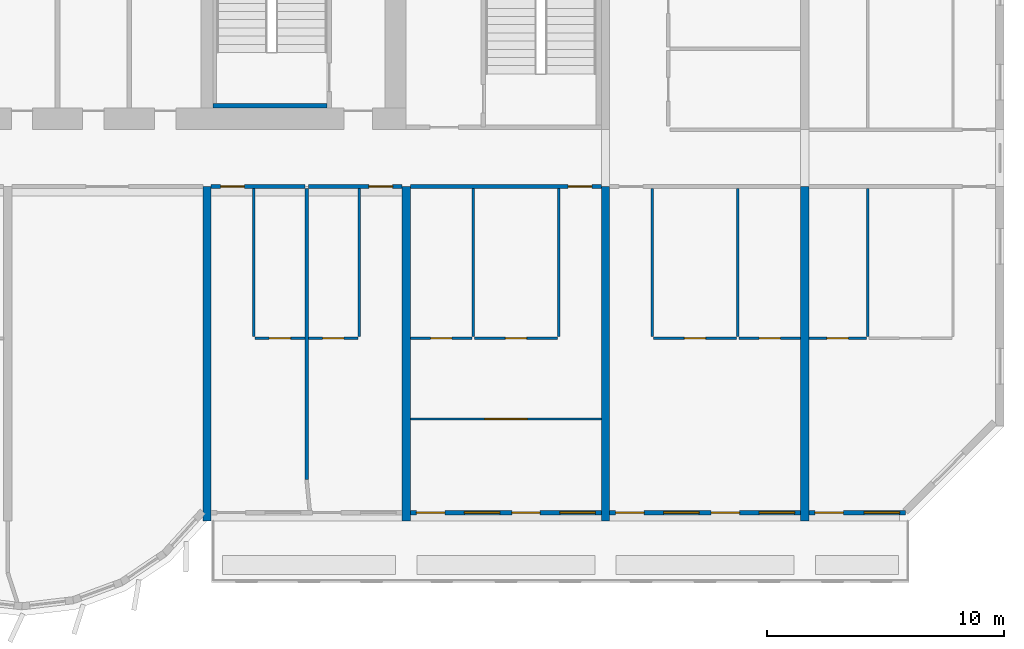
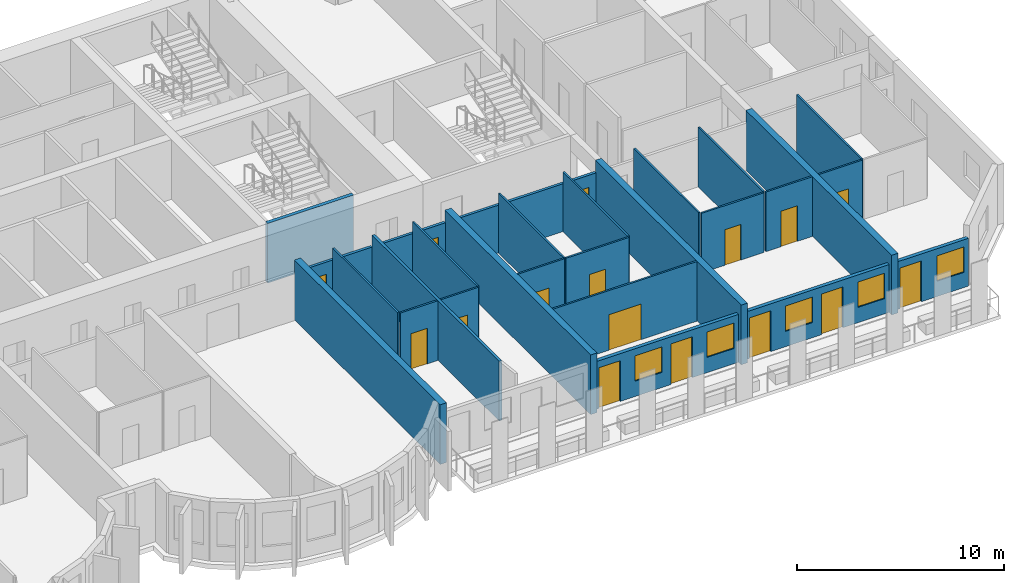
# One storey, part 8 of 14: 27 walls, 16 doors, 5 windows, 21 openings.
"""IFC4 building model written with IfcOpenShell, lengths in metres."""

from ifc_helpers import new_model, si_unit, direction, frame, frame_2d, origin, place, context, subcontext, project, spatial, rectangle, extrude, source, transform, mapped, material, layer, layer_set, type_object, element, fill, save


model = new_model("IFC4")

# Units and contexts
model_context = context("Model", 3, precision=1e-05, world=origin(), true_north=direction((0.0, 1.0)))
body_context = subcontext(model_context, "Body", "Model", "MODEL_VIEW")
ifc_project = project(units=[si_unit("LENGTHUNIT", "METRE"), si_unit("AREAUNIT", "SQUARE_METRE"), si_unit("VOLUMEUNIT", "CUBIC_METRE"), si_unit("PLANEANGLEUNIT", "RADIAN"), si_unit("MASSUNIT", "GRAM", prefix="KILO")], contexts=[model_context])

# Site, building, storey
site_placement = place(None, origin())
site = spatial("IfcSite", under=ifc_project, at=site_placement, CompositionType="ELEMENT")
building_placement = place(site_placement, origin())
building = spatial("IfcBuilding", under=site, at=building_placement, Name="Vanashikhar Sky Hotel", CompositionType="ELEMENT")
storey_placement = place(building_placement, frame((0.0, 0.0, 114.199951171875)))
storey = spatial("IfcBuildingStorey", under=building, at=storey_placement, Name="L27", CompositionType="ELEMENT", Elevation=114.199951171875)

# Walls
ifc_material_1 = material(Name="Concrete M70", Category="concrete")
ifc_layer_1 = layer(ifc_material_1, 0.35009765625)
ifc_layer_set_1 = layer_set([ifc_layer_1], Name="RC shear wall 350 Concrete M70")
wall_type_1 = type_object("IfcWallType", Name="RC shear wall 350 Concrete M70", PredefinedType="SHEAR", material=ifc_layer_set_1)
shared_shape_1 = source(origin(), body_context, "Body", "SweptSolid", [
    extrude(rectangle(XDim=14.10009765625, YDim=0.35009765625, at=frame_2d((7.050048828125, 0.0))), origin(), (0.0, 0.0, 1.0), 3.52001953125),
])
for number, where, z_axis, x_axis, name in (
    (1, (67.199951171875, 5.5, 0.0), (0.0, 0.0, 1.0), (0.0, 1.0, 0.0), "CW-L27-XW09-1"),
    (2, (75.60009765625, 5.5, 0.0), (0.0, 0.0, 1.0), (0.0, 1.0, 0.0), "CW-L27-XW10-1"),
    (3, (84.0, 5.5, 0.0), (0.0, 0.0, 1.0), (0.0, 1.0, 0.0), "CW-L27-XW11-1"),
    (4, (92.39990234375, 5.5, 0.0), (0.0, 0.0, 1.0), (0.0, 1.0, 0.0), "CW-L27-XW12-1"),
):
    element("IfcWall", number, at=place(storey_placement, frame(where, z_axis=z_axis, x_axis=x_axis)), inside=storey, type_object=wall_type_1, Name=name, PredefinedType="SHEAR", context=body_context, shape_type="MappedRepresentation", body=[
        mapped(shared_shape_1, transform((0.0, 0.0, 0.0), scale=1.0)),
    ])

# Wall, openings, window, door
ifc_material_2 = material(Name="Concrete M50", Category="concrete")
ifc_layer_2 = layer(ifc_material_2, 0.199951171875)
ifc_layer_set_2 = layer_set([ifc_layer_2], Name="Front window wall 200")
wall_type_2 = type_object("IfcWallType", Name="Front window wall 200", PredefinedType="SOLIDWALL", material=ifc_layer_set_2)
shared_shape_2 = source(origin(), body_context, "Body", "SweptSolid", [
    extrude(rectangle(XDim=4.080078125, YDim=0.199951171875, at=frame_2d((2.0400390625, 0.0))), origin(), (0.0, 0.0, 1.0), 2.820068359375),
])
wall_1_placement = place(storey_placement, frame((92.574951171875, 5.85009765625, 0.0), z_axis=(0.0, 0.0, 1.0), x_axis=(1.0, 0.0, 0.0)))
wall_1 = element("IfcWall", 5, at=wall_1_placement, inside=storey, type_object=wall_type_2, Name="Front window wall", PredefinedType="SOLIDWALL", context=body_context, shape_type="MappedRepresentation", body=[
    mapped(shared_shape_2, transform((0.0, 0.0, 0.0), scale=1.0)),
])
shared_shape_3 = source(origin(), body_context, "Body", "SweptSolid", [
    extrude(rectangle(XDim=1.199951171875, YDim=2.39990234375, at=frame_2d((0.60009765625, 1.199951171875))), frame((0.0, 0.10986328125, 0.0), z_axis=(0.0, -1.0, 0.0), x_axis=(1.0, 0.0, 0.0)), (0.0, 0.0, 1.0), 0.219970703125),
])
opening_1_placement = place(wall_1_placement, frame((0.25, 0.0, 0.0)))
opening_1 = element("IfcOpeningElement", 6, at=opening_1_placement, cuts=wall_1, Name="Opening BD-14", PredefinedType="OPENING", context=body_context, shape_type="MappedRepresentation", body=[
    mapped(shared_shape_3, transform((0.0, 0.0, 0.0), scale=1.0)),
])
shared_shape_4 = source(origin(), body_context, "Body", "SweptSolid", [
    extrude(rectangle(XDim=1.5, YDim=1.5, at=frame_2d((0.75, 0.75))), frame((0.0, 0.10986328125, 0.0), z_axis=(0.0, -1.0, 0.0), x_axis=(1.0, 0.0, 0.0)), (0.0, 0.0, 1.0), 0.219970703125),
])
opening_2_placement = place(wall_1_placement, frame((2.330078125, 0.0, 0.89990234375)))
opening_2 = element("IfcOpeningElement", 7, at=opening_2_placement, cuts=wall_1, Name="Opening WN-1", PredefinedType="OPENING", context=body_context, shape_type="MappedRepresentation", body=[
    mapped(shared_shape_4, transform((0.0, 0.0, 0.0), scale=1.0)),
])
ifc_material_3 = material(Name="Glass", Category="glass")
window_type = type_object("IfcWindowType", Name="Window 1500 x 1500", PartitioningType="SINGLE_PANEL", PredefinedType="WINDOW", material=ifc_material_3)
shared_shape_5 = source(origin(), body_context, "Body", "SweptSolid", [
    extrude(rectangle(XDim=1.5, YDim=1.5, at=frame_2d((0.75, 0.75))), frame((0.0, 0.030029296875, 0.0), z_axis=(0.0, -1.0, 0.0), x_axis=(1.0, 0.0, 0.0)), (0.0, 0.0, 1.0), 0.06005859375),
])
window_1_placement = place(opening_2_placement, origin())
window_1 = element("IfcWindow", 8, at=window_1_placement, inside=storey, type_object=window_type, Name="Window WN-1", OverallHeight=1.5, OverallWidth=1.5, PartitioningType="SINGLE_PANEL", PredefinedType="WINDOW", context=body_context, shape_type="MappedRepresentation", body=[
    mapped(shared_shape_5, transform((0.0, 0.0, 0.0), scale=1.0)),
])
fill(opening_2, window_1)
ifc_material_4 = material(Name="Aluminium", Category="aluminium")
door_type_1 = type_object("IfcDoorType", Name="Balcony sliding door 1200 x 2400", OperationType="NOTDEFINED", PredefinedType="DOOR", material=ifc_material_4)
shared_shape_6 = source(origin(), body_context, "Body", "SweptSolid", [
    extrude(rectangle(XDim=1.199951171875, YDim=2.39990234375, at=frame_2d((0.60009765625, 1.199951171875))), frame((0.0, 0.02490234375, 0.0), z_axis=(0.0, -1.0, 0.0), x_axis=(1.0, 0.0, 0.0)), (0.0, 0.0, 1.0), 0.050048828125),
])
door_1_placement = place(opening_1_placement, origin())
door_1 = element("IfcDoor", 9, at=door_1_placement, inside=storey, type_object=door_type_1, Name="Balcony sliding door", OperationType="SLIDING_TO_RIGHT", OverallHeight=2.39990234375, OverallWidth=1.199951171875, PredefinedType="DOOR", context=body_context, shape_type="MappedRepresentation", body=[
    mapped(shared_shape_6, transform((0.0, 0.0, 0.0), scale=1.0)),
])
fill(opening_1, door_1)

# Wall, openings, windows, doors
shared_shape_7 = source(origin(), body_context, "Body", "SweptSolid", [
    extrude(rectangle(XDim=8.050048828125, YDim=0.199951171875, at=frame_2d((4.02490234375, 0.0))), origin(), (0.0, 0.0, 1.0), 2.820068359375),
])
wall_2_placement = place(storey_placement, frame((75.77490234375, 5.85009765625, 0.0), z_axis=(0.0, 0.0, 1.0), x_axis=(1.0, 0.0, 0.0)))
wall_2 = element("IfcWall", 10, at=wall_2_placement, inside=storey, type_object=wall_type_2, Name="Front window wall", PredefinedType="SOLIDWALL", context=body_context, shape_type="MappedRepresentation", body=[
    mapped(shared_shape_7, transform((0.0, 0.0, 0.0), scale=1.0)),
])
opening_3_placement = place(wall_2_placement, frame((0.25, 0.0, 0.0)))
opening_3 = element("IfcOpeningElement", 11, at=opening_3_placement, cuts=wall_2, Name="Opening BD-10", PredefinedType="OPENING", context=body_context, shape_type="MappedRepresentation", body=[
    mapped(shared_shape_3, transform((0.0, 0.0, 0.0), scale=1.0)),
])
opening_4_placement = place(wall_2_placement, frame((2.27490234375, 0.0, 0.89990234375)))
opening_4 = element("IfcOpeningElement", 12, at=opening_4_placement, cuts=wall_2, Name="Opening WN-1", PredefinedType="OPENING", context=body_context, shape_type="MappedRepresentation", body=[
    mapped(shared_shape_4, transform((0.0, 0.0, 0.0), scale=1.0)),
])
opening_5_placement = place(wall_2_placement, frame((4.27490234375, 0.0, 0.0)))
opening_5 = element("IfcOpeningElement", 13, at=opening_5_placement, cuts=wall_2, Name="Opening BD-11", PredefinedType="OPENING", context=body_context, shape_type="MappedRepresentation", body=[
    mapped(shared_shape_3, transform((0.0, 0.0, 0.0), scale=1.0)),
])
opening_6_placement = place(wall_2_placement, frame((6.300048828125, 0.0, 0.89990234375)))
opening_6 = element("IfcOpeningElement", 14, at=opening_6_placement, cuts=wall_2, Name="Opening WN-1", PredefinedType="OPENING", context=body_context, shape_type="MappedRepresentation", body=[
    mapped(shared_shape_4, transform((0.0, 0.0, 0.0), scale=1.0)),
])
window_2_placement = place(opening_4_placement, origin())
window_2 = element("IfcWindow", 15, at=window_2_placement, inside=storey, type_object=window_type, Name="Window WN-1", OverallHeight=1.5, OverallWidth=1.5, PartitioningType="SINGLE_PANEL", PredefinedType="WINDOW", context=body_context, shape_type="MappedRepresentation", body=[
    mapped(shared_shape_5, transform((0.0, 0.0, 0.0), scale=1.0)),
])
fill(opening_4, window_2)
window_3_placement = place(opening_6_placement, origin())
window_3 = element("IfcWindow", 16, at=window_3_placement, inside=storey, type_object=window_type, Name="Window WN-1", OverallHeight=1.5, OverallWidth=1.5, PartitioningType="SINGLE_PANEL", PredefinedType="WINDOW", context=body_context, shape_type="MappedRepresentation", body=[
    mapped(shared_shape_5, transform((0.0, 0.0, 0.0), scale=1.0)),
])
fill(opening_6, window_3)
door_2_placement = place(opening_3_placement, origin())
door_2 = element("IfcDoor", 17, at=door_2_placement, inside=storey, type_object=door_type_1, Name="Balcony sliding door", OperationType="SLIDING_TO_RIGHT", OverallHeight=2.39990234375, OverallWidth=1.199951171875, PredefinedType="DOOR", context=body_context, shape_type="MappedRepresentation", body=[
    mapped(shared_shape_6, transform((0.0, 0.0, 0.0), scale=1.0)),
])
fill(opening_3, door_2)
door_3_placement = place(opening_5_placement, origin())
door_3 = element("IfcDoor", 18, at=door_3_placement, inside=storey, type_object=door_type_1, Name="Balcony sliding door", OperationType="SLIDING_TO_LEFT", OverallHeight=2.39990234375, OverallWidth=1.199951171875, PredefinedType="DOOR", context=body_context, shape_type="MappedRepresentation", body=[
    mapped(shared_shape_6, transform((0.0, 0.0, 0.0), scale=1.0)),
])
fill(opening_5, door_3)

wall_3_placement = place(storey_placement, frame((84.175048828125, 5.85009765625, 0.0), z_axis=(0.0, 0.0, 1.0), x_axis=(1.0, 0.0, 0.0)))
wall_3 = element("IfcWall", 19, at=wall_3_placement, inside=storey, type_object=wall_type_2, Name="Front window wall", PredefinedType="SOLIDWALL", context=body_context, shape_type="MappedRepresentation", body=[
    mapped(shared_shape_7, transform((0.0, 0.0, 0.0), scale=1.0)),
])
opening_7_placement = place(wall_3_placement, frame((0.25, 0.0, 0.0)))
opening_7 = element("IfcOpeningElement", 20, at=opening_7_placement, cuts=wall_3, Name="Opening BD-12", PredefinedType="OPENING", context=body_context, shape_type="MappedRepresentation", body=[
    mapped(shared_shape_3, transform((0.0, 0.0, 0.0), scale=1.0)),
])
opening_8_placement = place(wall_3_placement, frame((2.27490234375, 0.0, 0.89990234375)))
opening_8 = element("IfcOpeningElement", 21, at=opening_8_placement, cuts=wall_3, Name="Opening WN-1", PredefinedType="OPENING", context=body_context, shape_type="MappedRepresentation", body=[
    mapped(shared_shape_4, transform((0.0, 0.0, 0.0), scale=1.0)),
])
opening_9_placement = place(wall_3_placement, frame((4.27490234375, 0.0, 0.0)))
opening_9 = element("IfcOpeningElement", 22, at=opening_9_placement, cuts=wall_3, Name="Opening BD-13", PredefinedType="OPENING", context=body_context, shape_type="MappedRepresentation", body=[
    mapped(shared_shape_3, transform((0.0, 0.0, 0.0), scale=1.0)),
])
opening_10_placement = place(wall_3_placement, frame((6.300048828125, 0.0, 0.89990234375)))
opening_10 = element("IfcOpeningElement", 23, at=opening_10_placement, cuts=wall_3, Name="Opening WN-1", PredefinedType="OPENING", context=body_context, shape_type="MappedRepresentation", body=[
    mapped(shared_shape_4, transform((0.0, 0.0, 0.0), scale=1.0)),
])
window_4_placement = place(opening_8_placement, origin())
window_4 = element("IfcWindow", 24, at=window_4_placement, inside=storey, type_object=window_type, Name="Window WN-1", OverallHeight=1.5, OverallWidth=1.5, PartitioningType="SINGLE_PANEL", PredefinedType="WINDOW", context=body_context, shape_type="MappedRepresentation", body=[
    mapped(shared_shape_5, transform((0.0, 0.0, 0.0), scale=1.0)),
])
fill(opening_8, window_4)
window_5_placement = place(opening_10_placement, origin())
window_5 = element("IfcWindow", 25, at=window_5_placement, inside=storey, type_object=window_type, Name="Window WN-1", OverallHeight=1.5, OverallWidth=1.5, PartitioningType="SINGLE_PANEL", PredefinedType="WINDOW", context=body_context, shape_type="MappedRepresentation", body=[
    mapped(shared_shape_5, transform((0.0, 0.0, 0.0), scale=1.0)),
])
fill(opening_10, window_5)
door_4_placement = place(opening_7_placement, origin())
door_4 = element("IfcDoor", 26, at=door_4_placement, inside=storey, type_object=door_type_1, Name="Balcony sliding door", OperationType="SLIDING_TO_RIGHT", OverallHeight=2.39990234375, OverallWidth=1.199951171875, PredefinedType="DOOR", context=body_context, shape_type="MappedRepresentation", body=[
    mapped(shared_shape_6, transform((0.0, 0.0, 0.0), scale=1.0)),
])
fill(opening_7, door_4)
door_5_placement = place(opening_9_placement, origin())
door_5 = element("IfcDoor", 27, at=door_5_placement, inside=storey, type_object=door_type_1, Name="Balcony sliding door", OperationType="SLIDING_TO_LEFT", OverallHeight=2.39990234375, OverallWidth=1.199951171875, PredefinedType="DOOR", context=body_context, shape_type="MappedRepresentation", body=[
    mapped(shared_shape_6, transform((0.0, 0.0, 0.0), scale=1.0)),
])
fill(opening_9, door_5)

# Wall
ifc_layer_3 = layer(ifc_material_2, 0.199951171875)
ifc_layer_set_3 = layer_set([ifc_layer_3], Name="Stair infill wall 200")
wall_type_3 = type_object("IfcWallType", Name="Stair infill wall 200", PredefinedType="SOLIDWALL", material=ifc_layer_set_3)
shared_shape_8 = source(origin(), body_context, "Body", "SweptSolid", [
    extrude(rectangle(XDim=4.800048828125, YDim=0.199951171875, at=frame_2d((2.39990234375, 0.0))), origin(), (0.0, 0.0, 1.0), 3.52001953125),
])
wall_4_placement = place(storey_placement, frame((67.449951171875, 23.0, 0.0), z_axis=(0.0, 0.0, 1.0), x_axis=(1.0, 0.0, 0.0)))
element("IfcWall", 28, at=wall_4_placement, inside=storey, type_object=wall_type_3, Name="Stair infill wall 200", PredefinedType="SOLIDWALL", context=body_context, shape_type="MappedRepresentation", body=[
    mapped(shared_shape_8, transform((0.0, 0.0, 0.0), scale=1.0)),
])

# Wall, opening, door
ifc_material_5 = material(Name="Gypsum plasterboard partition")
ifc_layer_4 = layer(ifc_material_5, 0.10009765625)
ifc_layer_set_4 = layer_set([ifc_layer_4], Name="Wet room partition 100")
wall_type_4 = type_object("IfcWallType", Name="Wet room partition 100", PredefinedType="PARTITIONING", material=ifc_layer_set_4)
shared_shape_9 = source(origin(), body_context, "Body", "SweptSolid", [
    extrude(rectangle(XDim=3.5, YDim=0.10009765625, at=frame_2d((1.75, 0.0))), origin(), (0.0, 0.0, 1.0), 3.52001953125),
])
wall_5_placement = place(storey_placement, frame((78.47509765625, 13.199951171875, 0.0), z_axis=(0.0, 0.0, 1.0), x_axis=(1.0, 0.0, 0.0)))
wall_5 = element("IfcWall", 29, at=wall_5_placement, inside=storey, type_object=wall_type_4, Name="W-L27-PW043", PredefinedType="PARTITIONING", context=body_context, shape_type="MappedRepresentation", body=[
    mapped(shared_shape_9, transform((0.0, 0.0, 0.0), scale=1.0)),
])
shared_shape_10 = source(origin(), body_context, "Body", "SweptSolid", [
    extrude(rectangle(XDim=0.89990234375, YDim=2.10009765625, at=frame_2d((0.449951171875, 1.050048828125))), frame((0.0, 0.06005859375, 0.0), z_axis=(0.0, -1.0, 0.0), x_axis=(1.0, 0.0, 0.0)), (0.0, 0.0, 1.0), 0.1201171875),
])
opening_11_placement = place(wall_5_placement, frame((1.300048828125, 0.0, 0.0)))
opening_11 = element("IfcOpeningElement", 30, at=opening_11_placement, cuts=wall_5, Name="Opening D-02", PredefinedType="OPENING", context=body_context, shape_type="MappedRepresentation", body=[
    mapped(shared_shape_10, transform((0.0, 0.0, 0.0), scale=1.0)),
])
ifc_material_6 = material(Name="Timber door", Category="wood")
door_type_2 = type_object("IfcDoorType", Name="Internal door 900", OperationType="NOTDEFINED", PredefinedType="DOOR", material=ifc_material_6)
shared_shape_11 = source(origin(), body_context, "Body", "SweptSolid", [
    extrude(rectangle(XDim=0.89990234375, YDim=2.10009765625, at=frame_2d((0.449951171875, 1.050048828125))), frame((0.0, 0.02490234375, 0.0), z_axis=(0.0, -1.0, 0.0), x_axis=(1.0, 0.0, 0.0)), (0.0, 0.0, 1.0), 0.050048828125),
])
door_6_placement = place(opening_11_placement, origin())
door_6 = element("IfcDoor", 31, at=door_6_placement, inside=storey, type_object=door_type_2, Name="D-L27-026", OperationType="SINGLE_SWING_RIGHT", OverallHeight=2.10009765625, OverallWidth=0.89990234375, PredefinedType="DOOR", context=body_context, shape_type="MappedRepresentation", body=[
    mapped(shared_shape_11, transform((0.0, 0.0, 0.0), scale=1.0)),
])
fill(opening_11, door_6)

wall_6_placement = place(storey_placement, frame((86.02490234375, 13.199951171875, 0.0), z_axis=(0.0, 0.0, 1.0), x_axis=(1.0, 0.0, 0.0)))
wall_6 = element("IfcWall", 32, at=wall_6_placement, inside=storey, type_object=wall_type_4, Name="W-L27-PW049", PredefinedType="PARTITIONING", context=body_context, shape_type="MappedRepresentation", body=[
    mapped(shared_shape_9, transform((0.0, 0.0, 0.0), scale=1.0)),
])
opening_12_placement = place(wall_6_placement, frame((1.300048828125, 0.0, 0.0)))
opening_12 = element("IfcOpeningElement", 33, at=opening_12_placement, cuts=wall_6, Name="Opening D-02", PredefinedType="OPENING", context=body_context, shape_type="MappedRepresentation", body=[
    mapped(shared_shape_10, transform((0.0, 0.0, 0.0), scale=1.0)),
])
door_7_placement = place(opening_12_placement, origin())
door_7 = element("IfcDoor", 34, at=door_7_placement, inside=storey, type_object=door_type_2, Name="D-L27-030", OperationType="SINGLE_SWING_LEFT", OverallHeight=2.10009765625, OverallWidth=0.89990234375, PredefinedType="DOOR", context=body_context, shape_type="MappedRepresentation", body=[
    mapped(shared_shape_11, transform((0.0, 0.0, 0.0), scale=1.0)),
])
fill(opening_12, door_7)

# Walls
shared_shape_12 = source(origin(), body_context, "Body", "SweptSolid", [
    extrude(rectangle(XDim=6.25, YDim=0.10009765625, at=frame_2d((3.125, 0.0))), origin(), (0.0, 0.0, 1.0), 3.52001953125),
])
for number, where, z_axis, x_axis, name in (
    (35, (69.175048828125, 13.27490234375, 0.0), (0.0, 0.0, 1.0), (0.0, 1.0, 0.0), "W-L27-PW034"),
    (36, (73.625, 13.27490234375, 0.0), (0.0, 0.0, 1.0), (0.0, 1.0, 0.0), "W-L27-PW037"),
    (37, (82.02490234375, 13.27490234375, 0.0), (0.0, 0.0, 1.0), (0.0, 1.0, 0.0), "W-L27-PW041"),
    (38, (78.425048828125, 13.27490234375, 0.0), (0.0, 0.0, 1.0), (0.0, 1.0, 0.0), "W-L27-PW042"),
    (39, (85.97509765625, 13.27490234375, 0.0), (0.0, 0.0, 1.0), (0.0, 1.0, 0.0), "W-L27-PW047"),
    (40, (89.574951171875, 13.27490234375, 0.0), (0.0, 0.0, 1.0), (0.0, 1.0, 0.0), "W-L27-PW048"),
    (41, (95.050048828125, 13.27490234375, 0.0), (0.0, 0.0, 1.0), (0.0, 1.0, 0.0), "W-L27-PW053"),
):
    element("IfcWall", number, at=place(storey_placement, frame(where, z_axis=z_axis, x_axis=x_axis)), inside=storey, type_object=wall_type_4, Name=name, PredefinedType="PARTITIONING", context=body_context, shape_type="MappedRepresentation", body=[
        mapped(shared_shape_12, transform((0.0, 0.0, 0.0), scale=1.0)),
    ])

# Wall, opening, door
shared_shape_13 = source(origin(), body_context, "Body", "SweptSolid", [
    extrude(rectangle(XDim=2.60009765625, YDim=0.10009765625, at=frame_2d((1.300048828125, 0.0))), origin(), (0.0, 0.0, 1.0), 3.52001953125),
])
wall_7_placement = place(storey_placement, frame((75.77490234375, 13.199951171875, 0.0), z_axis=(0.0, 0.0, 1.0), x_axis=(1.0, 0.0, 0.0)))
wall_7 = element("IfcWall", 42, at=wall_7_placement, inside=storey, type_object=wall_type_4, Name="W-L27-PW044", PredefinedType="PARTITIONING", context=body_context, shape_type="MappedRepresentation", body=[
    mapped(shared_shape_13, transform((0.0, 0.0, 0.0), scale=1.0)),
])
opening_13_placement = place(wall_7_placement, frame((0.85009765625, 0.0, 0.0)))
opening_13 = element("IfcOpeningElement", 43, at=opening_13_placement, cuts=wall_7, Name="Opening D-02", PredefinedType="OPENING", context=body_context, shape_type="MappedRepresentation", body=[
    mapped(shared_shape_10, transform((0.0, 0.0, 0.0), scale=1.0)),
])
door_8_placement = place(opening_13_placement, origin())
door_8 = element("IfcDoor", 44, at=door_8_placement, inside=storey, type_object=door_type_2, Name="D-L27-027", OperationType="SINGLE_SWING_RIGHT", OverallHeight=2.10009765625, OverallWidth=0.89990234375, PredefinedType="DOOR", context=body_context, shape_type="MappedRepresentation", body=[
    mapped(shared_shape_11, transform((0.0, 0.0, 0.0), scale=1.0)),
])
fill(opening_13, door_8)

wall_8_placement = place(storey_placement, frame((89.625, 13.199951171875, 0.0), z_axis=(0.0, 0.0, 1.0), x_axis=(1.0, 0.0, 0.0)))
wall_8 = element("IfcWall", 45, at=wall_8_placement, inside=storey, type_object=wall_type_4, Name="W-L27-PW050", PredefinedType="PARTITIONING", context=body_context, shape_type="MappedRepresentation", body=[
    mapped(shared_shape_13, transform((0.0, 0.0, 0.0), scale=1.0)),
])
opening_14_placement = place(wall_8_placement, frame((0.85009765625, 0.0, 0.0)))
opening_14 = element("IfcOpeningElement", 46, at=opening_14_placement, cuts=wall_8, Name="Opening D-02", PredefinedType="OPENING", context=body_context, shape_type="MappedRepresentation", body=[
    mapped(shared_shape_10, transform((0.0, 0.0, 0.0), scale=1.0)),
])
door_9_placement = place(opening_14_placement, origin())
door_9 = element("IfcDoor", 47, at=door_9_placement, inside=storey, type_object=door_type_2, Name="D-L27-031", OperationType="SINGLE_SWING_LEFT", OverallHeight=2.10009765625, OverallWidth=0.89990234375, PredefinedType="DOOR", context=body_context, shape_type="MappedRepresentation", body=[
    mapped(shared_shape_11, transform((0.0, 0.0, 0.0), scale=1.0)),
])
fill(opening_14, door_9)

ifc_layer_5 = layer(ifc_material_5, 0.14990234375)
ifc_layer_set_5 = layer_set([ifc_layer_5], Name="Corridor and demising partition 150")
wall_type_5 = type_object("IfcWallType", Name="Corridor and demising partition 150", PredefinedType="PARTITIONING", material=ifc_layer_set_5)
shared_shape_14 = source(origin(), body_context, "Body", "SweptSolid", [
    extrude(rectangle(XDim=8.050048828125, YDim=0.14990234375, at=frame_2d((4.02490234375, 0.0))), origin(), (0.0, 0.0, 1.0), 2.820068359375),
])
wall_9_placement = place(storey_placement, frame((75.77490234375, 19.60009765625, 0.0), z_axis=(0.0, 0.0, 1.0), x_axis=(1.0, 0.0, 0.0)))
wall_9 = element("IfcWall", 48, at=wall_9_placement, inside=storey, type_object=wall_type_5, Name="W-L27-PW046", PredefinedType="PARTITIONING", context=body_context, shape_type="MappedRepresentation", body=[
    mapped(shared_shape_14, transform((0.0, 0.0, 0.0), scale=1.0)),
])
shared_shape_15 = source(origin(), body_context, "Body", "SweptSolid", [
    extrude(rectangle(XDim=1.0, YDim=2.10009765625, at=frame_2d((0.5, 1.050048828125))), frame((0.0, 0.0849609375, 0.0), z_axis=(0.0, -1.0, 0.0), x_axis=(1.0, 0.0, 0.0)), (0.0, 0.0, 1.0), 0.169921875),
])
opening_15_placement = place(wall_9_placement, frame((6.64990234375, 0.0, 0.0)))
opening_15 = element("IfcOpeningElement", 49, at=opening_15_placement, cuts=wall_9, Name="Opening D-01", PredefinedType="OPENING", context=body_context, shape_type="MappedRepresentation", body=[
    mapped(shared_shape_15, transform((0.0, 0.0, 0.0), scale=1.0)),
])
ifc_material_7 = material(Name="Timber fire door", Category="wood")
door_type_3 = type_object("IfcDoorType", Name="Guest entry door 1000 FD30S", OperationType="NOTDEFINED", PredefinedType="DOOR", material=ifc_material_7)
shared_shape_16 = source(origin(), body_context, "Body", "SweptSolid", [
    extrude(rectangle(XDim=1.0, YDim=2.10009765625, at=frame_2d((0.5, 1.050048828125))), frame((0.0, 0.02490234375, 0.0), z_axis=(0.0, -1.0, 0.0), x_axis=(1.0, 0.0, 0.0)), (0.0, 0.0, 1.0), 0.050048828125),
])
door_10_placement = place(opening_15_placement, origin())
door_10 = element("IfcDoor", 50, at=door_10_placement, inside=storey, type_object=door_type_3, Name="D-L27-029", OperationType="SINGLE_SWING_RIGHT", OverallHeight=2.10009765625, OverallWidth=1.0, PredefinedType="DOOR", context=body_context, shape_type="MappedRepresentation", body=[
    mapped(shared_shape_16, transform((0.0, 0.0, 0.0), scale=1.0)),
])
fill(opening_15, door_10)

shared_shape_17 = source(origin(), body_context, "Body", "SweptSolid", [
    extrude(rectangle(XDim=3.949951171875, YDim=0.14990234375, at=frame_2d((1.97509765625, 0.0))), origin(), (0.0, 0.0, 1.0), 2.820068359375),
])
wall_10_placement = place(storey_placement, frame((67.375, 19.60009765625, 0.0), z_axis=(0.0, 0.0, 1.0), x_axis=(1.0, 0.0, 0.0)))
wall_10 = element("IfcWall", 51, at=wall_10_placement, inside=storey, type_object=wall_type_5, Name="W-L27-PW036", PredefinedType="PARTITIONING", context=body_context, shape_type="MappedRepresentation", body=[
    mapped(shared_shape_17, transform((0.0, 0.0, 0.0), scale=1.0)),
])
opening_16_placement = place(wall_10_placement, frame((0.39990234375, 0.0, 0.0)))
opening_16 = element("IfcOpeningElement", 52, at=opening_16_placement, cuts=wall_10, Name="Opening D-01", PredefinedType="OPENING", context=body_context, shape_type="MappedRepresentation", body=[
    mapped(shared_shape_15, transform((0.0, 0.0, 0.0), scale=1.0)),
])
door_11_placement = place(opening_16_placement, origin())
door_11 = element("IfcDoor", 53, at=door_11_placement, inside=storey, type_object=door_type_3, Name="D-L27-023", OperationType="SINGLE_SWING_LEFT", OverallHeight=2.10009765625, OverallWidth=1.0, PredefinedType="DOOR", context=body_context, shape_type="MappedRepresentation", body=[
    mapped(shared_shape_16, transform((0.0, 0.0, 0.0), scale=1.0)),
])
fill(opening_16, door_11)

wall_11_placement = place(storey_placement, frame((71.47509765625, 19.60009765625, 0.0), z_axis=(0.0, 0.0, 1.0), x_axis=(1.0, 0.0, 0.0)))
wall_11 = element("IfcWall", 54, at=wall_11_placement, inside=storey, type_object=wall_type_5, Name="W-L27-PW039", PredefinedType="PARTITIONING", context=body_context, shape_type="MappedRepresentation", body=[
    mapped(shared_shape_17, transform((0.0, 0.0, 0.0), scale=1.0)),
])
opening_17_placement = place(wall_11_placement, frame((2.550048828125, 0.0, 0.0)))
opening_17 = element("IfcOpeningElement", 55, at=opening_17_placement, cuts=wall_11, Name="Opening D-01", PredefinedType="OPENING", context=body_context, shape_type="MappedRepresentation", body=[
    mapped(shared_shape_15, transform((0.0, 0.0, 0.0), scale=1.0)),
])
door_12_placement = place(opening_17_placement, origin())
door_12 = element("IfcDoor", 56, at=door_12_placement, inside=storey, type_object=door_type_3, Name="D-L27-025", OperationType="SINGLE_SWING_RIGHT", OverallHeight=2.10009765625, OverallWidth=1.0, PredefinedType="DOOR", context=body_context, shape_type="MappedRepresentation", body=[
    mapped(shared_shape_16, transform((0.0, 0.0, 0.0), scale=1.0)),
])
fill(opening_17, door_12)

shared_shape_18 = source(origin(), body_context, "Body", "SweptSolid", [
    extrude(rectangle(XDim=2.099853515625, YDim=0.10009765625, at=frame_2d((1.0498046875, 0.0))), origin(), (0.0, 0.0, 1.0), 3.52001953125),
])
wall_12_placement = place(storey_placement, frame((69.22509765625, 13.199951171875, 0.0), z_axis=(0.0, 0.0, 1.0), x_axis=(1.0, 0.0, 0.0)))
wall_12 = element("IfcWall", 57, at=wall_12_placement, inside=storey, type_object=wall_type_4, Name="W-L27-PW035", PredefinedType="PARTITIONING", context=body_context, shape_type="MappedRepresentation", body=[
    mapped(shared_shape_18, transform((0.0, 0.0, 0.0), scale=1.0)),
])
opening_18_placement = place(wall_12_placement, frame((0.60009765625, 0.0, 0.0)))
opening_18 = element("IfcOpeningElement", 58, at=opening_18_placement, cuts=wall_12, Name="Opening D-02", PredefinedType="OPENING", context=body_context, shape_type="MappedRepresentation", body=[
    mapped(shared_shape_10, transform((0.0, 0.0, 0.0), scale=1.0)),
])
door_13_placement = place(opening_18_placement, origin())
door_13 = element("IfcDoor", 59, at=door_13_placement, inside=storey, type_object=door_type_2, Name="D-L27-022", OperationType="SINGLE_SWING_LEFT", OverallHeight=2.10009765625, OverallWidth=0.89990234375, PredefinedType="DOOR", context=body_context, shape_type="MappedRepresentation", body=[
    mapped(shared_shape_11, transform((0.0, 0.0, 0.0), scale=1.0)),
])
fill(opening_18, door_13)

wall_13_placement = place(storey_placement, frame((71.47509765625, 13.199951171875, 0.0), z_axis=(0.0, 0.0, 1.0), x_axis=(1.0, 0.0, 0.0)))
wall_13 = element("IfcWall", 60, at=wall_13_placement, inside=storey, type_object=wall_type_4, Name="W-L27-PW038", PredefinedType="PARTITIONING", context=body_context, shape_type="MappedRepresentation", body=[
    mapped(shared_shape_18, transform((0.0, 0.0, 0.0), scale=1.0)),
])
opening_19_placement = place(wall_13_placement, frame((0.60009765625, 0.0, 0.0)))
opening_19 = element("IfcOpeningElement", 61, at=opening_19_placement, cuts=wall_13, Name="Opening D-02", PredefinedType="OPENING", context=body_context, shape_type="MappedRepresentation", body=[
    mapped(shared_shape_10, transform((0.0, 0.0, 0.0), scale=1.0)),
])
door_14_placement = place(opening_19_placement, origin())
door_14 = element("IfcDoor", 62, at=door_14_placement, inside=storey, type_object=door_type_2, Name="D-L27-024", OperationType="SINGLE_SWING_RIGHT", OverallHeight=2.10009765625, OverallWidth=0.89990234375, PredefinedType="DOOR", context=body_context, shape_type="MappedRepresentation", body=[
    mapped(shared_shape_11, transform((0.0, 0.0, 0.0), scale=1.0)),
])
fill(opening_19, door_14)

# Wall
shared_shape_19 = source(origin(), body_context, "Body", "SweptSolid", [
    extrude(rectangle(XDim=12.27490234375, YDim=0.14990234375, at=frame_2d((6.137451171875, 0.0))), origin(), (0.0, 0.0, 1.0), 3.52001953125),
])
wall_14_placement = place(storey_placement, frame((71.39990234375, 7.25, 0.0), z_axis=(0.0, 0.0, 1.0), x_axis=(0.0, 1.0, 0.0)))
element("IfcWall", 63, at=wall_14_placement, inside=storey, type_object=wall_type_5, Name="W-L27-PW040", PredefinedType="PARTITIONING", context=body_context, shape_type="MappedRepresentation", body=[
    mapped(shared_shape_19, transform((0.0, 0.0, 0.0), scale=1.0)),
])

# Wall, opening, door
shared_shape_20 = source(origin(), body_context, "Body", "SweptSolid", [
    extrude(rectangle(XDim=8.050048828125, YDim=0.10009765625, at=frame_2d((4.02490234375, 0.0))), origin(), (0.0, 0.0, 1.0), 3.52001953125),
])
wall_15_placement = place(storey_placement, frame((75.77490234375, 9.802001953125, 0.0), z_axis=(0.0, 0.0, 1.0), x_axis=(1.0, 0.0, 0.0)))
wall_15 = element("IfcWall", 64, at=wall_15_placement, inside=storey, type_object=wall_type_4, Name="W-L27-PW045", PredefinedType="PARTITIONING", context=body_context, shape_type="MappedRepresentation", body=[
    mapped(shared_shape_20, transform((0.0, 0.0, 0.0), scale=1.0)),
])
shared_shape_21 = source(origin(), body_context, "Body", "SweptSolid", [
    extrude(rectangle(XDim=1.800048828125, YDim=2.10009765625, at=frame_2d((0.89990234375, 1.050048828125))), frame((0.0, 0.06005859375, 0.0), z_axis=(0.0, -1.0, 0.0), x_axis=(1.0, 0.0, 0.0)), (0.0, 0.0, 1.0), 0.1201171875),
])
opening_20_placement = place(wall_15_placement, frame((3.125, 0.0, 0.0)))
opening_20 = element("IfcOpeningElement", 65, at=opening_20_placement, cuts=wall_15, Name="Opening D-08", PredefinedType="OPENING", context=body_context, shape_type="MappedRepresentation", body=[
    mapped(shared_shape_21, transform((0.0, 0.0, 0.0), scale=1.0)),
])
door_type_4 = type_object("IfcDoorType", Name="Double leaf door 1800", OperationType="NOTDEFINED", PredefinedType="DOOR", material=ifc_material_6)
shared_shape_22 = source(origin(), body_context, "Body", "SweptSolid", [
    extrude(rectangle(XDim=1.800048828125, YDim=2.10009765625, at=frame_2d((0.89990234375, 1.050048828125))), frame((0.0, 0.02490234375, 0.0), z_axis=(0.0, -1.0, 0.0), x_axis=(1.0, 0.0, 0.0)), (0.0, 0.0, 1.0), 0.050048828125),
])
door_15_placement = place(opening_20_placement, origin())
door_15 = element("IfcDoor", 66, at=door_15_placement, inside=storey, type_object=door_type_4, Name="D-L27-028", OperationType="DOUBLE_DOOR_SINGLE_SWING", OverallHeight=2.10009765625, OverallWidth=1.800048828125, PredefinedType="DOOR", context=body_context, shape_type="MappedRepresentation", body=[
    mapped(shared_shape_22, transform((0.0, 0.0, 0.0), scale=1.0)),
])
fill(opening_20, door_15)

shared_shape_23 = source(origin(), body_context, "Body", "SweptSolid", [
    extrude(rectangle(XDim=2.425048828125, YDim=0.10009765625, at=frame_2d((1.21240234375, 0.0))), origin(), (0.0, 0.0, 1.0), 3.52001953125),
])
wall_16_placement = place(storey_placement, frame((92.574951171875, 13.199951171875, 0.0), z_axis=(0.0, 0.0, 1.0), x_axis=(1.0, 0.0, 0.0)))
wall_16 = element("IfcWall", 67, at=wall_16_placement, inside=storey, type_object=wall_type_4, Name="W-L27-PW055", PredefinedType="PARTITIONING", context=body_context, shape_type="MappedRepresentation", body=[
    mapped(shared_shape_23, transform((0.0, 0.0, 0.0), scale=1.0)),
])
opening_21_placement = place(wall_16_placement, frame((0.762939453125, 0.0, 0.0)))
opening_21 = element("IfcOpeningElement", 68, at=opening_21_placement, cuts=wall_16, Name="Opening D-02", PredefinedType="OPENING", context=body_context, shape_type="MappedRepresentation", body=[
    mapped(shared_shape_10, transform((0.0, 0.0, 0.0), scale=1.0)),
])
door_16_placement = place(opening_21_placement, origin())
door_16 = element("IfcDoor", 69, at=door_16_placement, inside=storey, type_object=door_type_2, Name="D-L27-034", OperationType="SINGLE_SWING_RIGHT", OverallHeight=2.10009765625, OverallWidth=0.89990234375, PredefinedType="DOOR", context=body_context, shape_type="MappedRepresentation", body=[
    mapped(shared_shape_11, transform((0.0, 0.0, 0.0), scale=1.0)),
])
fill(opening_21, door_16)

save(model, "model.ifc")
